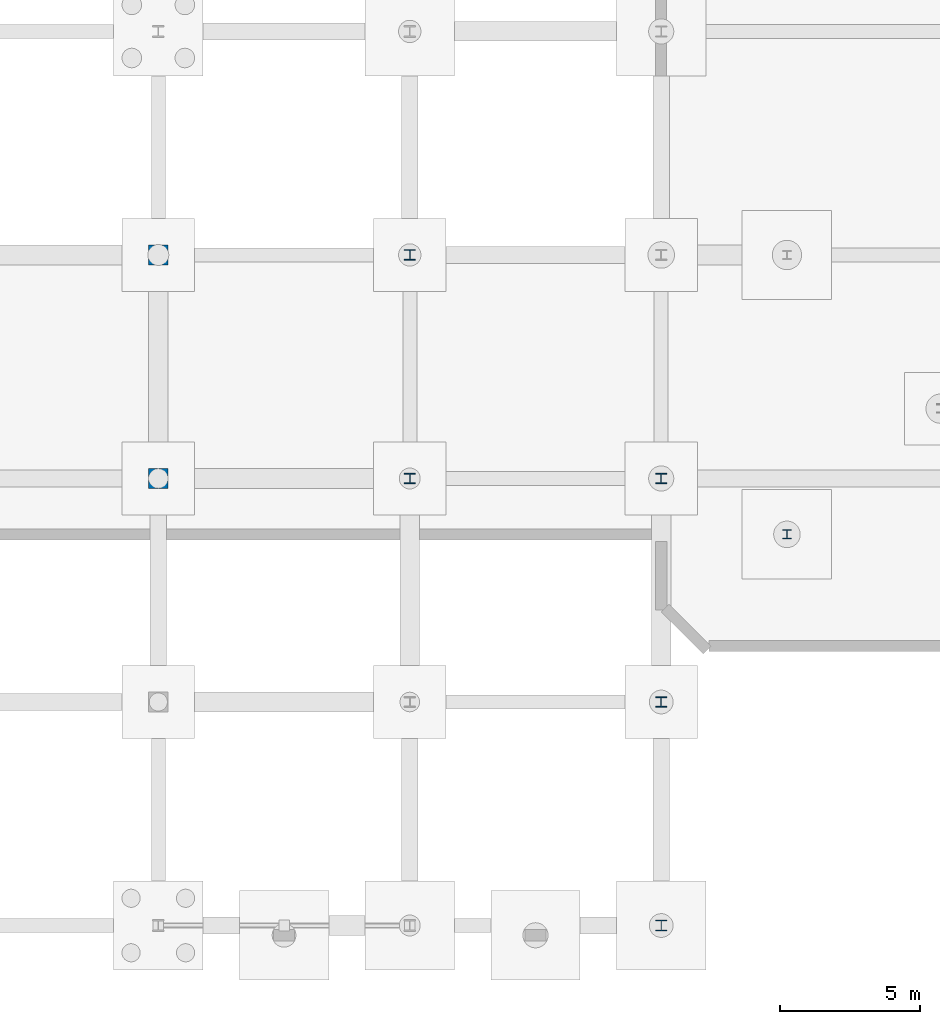
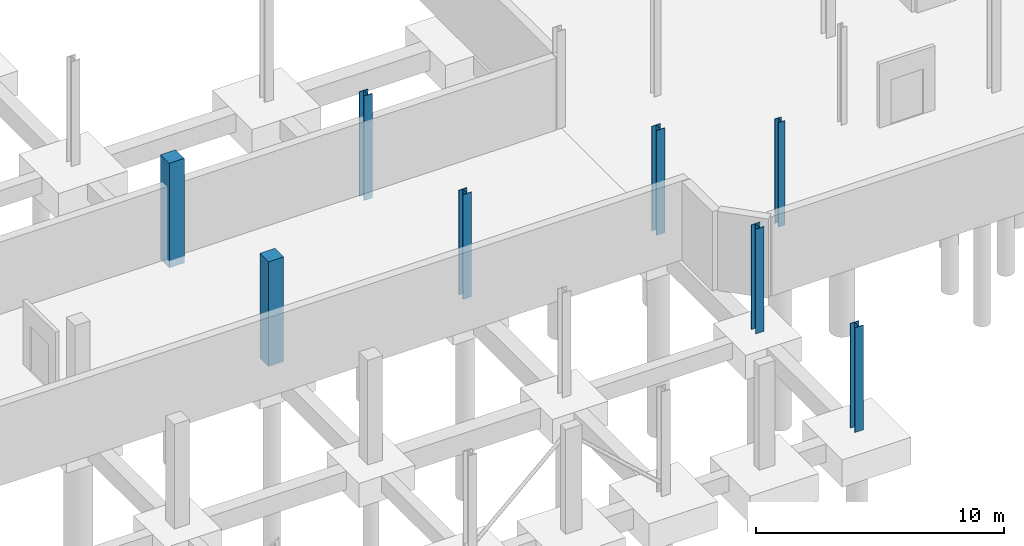
# One storey, part 11 of 37: 8 columns.
"""IFC4 building model written with IfcOpenShell, lengths in metres."""

from ifc_helpers import new_model, si_unit, direction, frame, origin, origin_2d, place, context, subcontext, project, spatial, rectangle, i_section, extrude, material, material_profile, profile_set, type_object, element, save


model = new_model("IFC4")

# Units and contexts
model_context = context("Model", 3, precision=1e-05, world=origin(), true_north=direction((0.0, 1.0)))
body_context = subcontext(model_context, "Body", "Model", "MODEL_VIEW")
ifc_project = project(units=[si_unit("LENGTHUNIT", "METRE"), si_unit("AREAUNIT", "SQUARE_METRE"), si_unit("VOLUMEUNIT", "CUBIC_METRE"), si_unit("PLANEANGLEUNIT", "RADIAN"), si_unit("MASSUNIT", "GRAM", prefix="KILO"), si_unit("THERMODYNAMICTEMPERATUREUNIT", "KELVIN"), si_unit("POWERUNIT", "WATT")], contexts=[model_context])

# Site, building, storey
site_placement = place(None, origin())
site = spatial("IfcSite", under=ifc_project, at=site_placement, CompositionType="ELEMENT")
building_placement = place(site_placement, origin())
building = spatial("IfcBuilding", under=site, at=building_placement, Name="Zelmaris Science Centre", CompositionType="ELEMENT")
storey_placement = place(building_placement, frame((0.0, 0.0, -4.800048828125)))
storey = spatial("IfcBuildingStorey", under=building, at=storey_placement, Name="B1", CompositionType="ELEMENT", Elevation=-4.800048828125)

# Columns
ifc_material_1 = material(Name="Steel ASTM A992 Grade 50", Category="steel")
ifc_material_profile_1 = material_profile(ifc_material_1, i_section(OverallWidth=0.39892578125, OverallDepth=0.385986328125, WebThickness=0.02099609375, FlangeThickness=0.033203125, FilletRadius=0.014892578125, at=origin_2d()), Name="W14X176")
ifc_profile_set_1 = profile_set([ifc_material_profile_1], Name="Steel ASTM A992 Grade 50")
column_type_1 = type_object("IfcColumnType", Name="Column C-04 W14X176", PredefinedType="COLUMN", material=ifc_profile_set_1)
column_1_placement = place(storey_placement, frame((54.0, 8.0, -0.349853515625), z_axis=(0.0, 0.0, 1.0), x_axis=(1.0, 0.0, 0.0)))
element("IfcColumn", 1, at=column_1_placement, inside=storey, type_object=column_type_1, Name="Column V3-P-54-8 B1", PredefinedType="COLUMN", context=body_context, shape_type="SweptSolid", body=[
    extrude(i_section(OverallWidth=0.39892578125, OverallDepth=0.385986328125, WebThickness=0.02099609375, FlangeThickness=0.033203125, FilletRadius=0.014892578125, at=origin_2d()), origin(), (0.0, 0.0, 1.0), 5.14990234375),
])
ifc_material_profile_2 = material_profile(ifc_material_1, i_section(OverallWidth=0.39404296875, OverallDepth=0.3759765625, WebThickness=0.017333984375, FlangeThickness=0.027587890625, FilletRadius=0.014892578125, at=origin_2d()), Name="W14X145")
ifc_profile_set_2 = profile_set([ifc_material_profile_2], Name="Steel ASTM A992 Grade 50")
column_type_2 = type_object("IfcColumnType", Name="Column C-05 W14X145", PredefinedType="COLUMN", material=ifc_profile_set_2)
for number, where, z_axis, x_axis, name in (
    (2, (45.0, 24.0, -0.349853515625), (0.0, 0.0, 1.0), (1.0, 0.0, 0.0), "Column V3-F-45-24 B1"),
    (3, (45.0, 32.0, -0.349853515625), (0.0, 0.0, 1.0), (1.0, 0.0, 0.0), "Column V3-F-45-32 B1"),
    (4, (54.0, 16.0, -0.349853515625), (0.0, 0.0, 1.0), (1.0, 0.0, 0.0), "Column V3-F-54-16 B1"),
    (5, (54.0, 24.0, -0.349853515625), (0.0, 0.0, 1.0), (1.0, 0.0, 0.0), "Column V3-F-54-24 B1"),
):
    element("IfcColumn", number, at=place(storey_placement, frame(where, z_axis=z_axis, x_axis=x_axis)), inside=storey, type_object=column_type_2, Name=name, PredefinedType="COLUMN", context=body_context, shape_type="SweptSolid", body=[
        extrude(i_section(OverallWidth=0.39404296875, OverallDepth=0.3759765625, WebThickness=0.017333984375, FlangeThickness=0.027587890625, FilletRadius=0.014892578125, at=origin_2d()), origin(), (0.0, 0.0, 1.0), 5.14990234375),
    ])
ifc_material_profile_3 = material_profile(ifc_material_1, i_section(OverallWidth=0.306884765625, OverallDepth=0.31494140625, WebThickness=0.011962890625, FlangeThickness=0.018798828125, FilletRadius=0.012939453125, at=origin_2d()), Name="W12X79")
ifc_profile_set_3 = profile_set([ifc_material_profile_3], Name="Steel ASTM A992 Grade 50")
column_type_3 = type_object("IfcColumnType", Name="Column C-08 W12X79", PredefinedType="COLUMN", material=ifc_profile_set_3)
column_2_placement = place(storey_placement, frame((58.5, 22.0, -0.349853515625), z_axis=(0.0, 0.0, 1.0), x_axis=(1.0, 0.0, 0.0)))
element("IfcColumn", 6, at=column_2_placement, inside=storey, type_object=column_type_3, Name="Column LK-W-22 B1", PredefinedType="COLUMN", context=body_context, shape_type="SweptSolid", body=[
    extrude(i_section(OverallWidth=0.306884765625, OverallDepth=0.31494140625, WebThickness=0.011962890625, FlangeThickness=0.018798828125, FilletRadius=0.012939453125, at=origin_2d()), origin(), (0.0, 0.0, 1.0), 5.14990234375),
])
ifc_material_2 = material(Name="Concrete C40/50", Category="concrete")
ifc_material_profile_4 = material_profile(ifc_material_2, rectangle(XDim=0.699951171875, YDim=0.699951171875, at=origin_2d()), Name="RC-COL-700X700")
ifc_profile_set_4 = profile_set([ifc_material_profile_4], Name="Concrete C40/50")
column_type_4 = type_object("IfcColumnType", Name="Column C-15 RC-COL-700X700", PredefinedType="COLUMN", material=ifc_profile_set_4)
for number, where, z_axis, x_axis, name in (
    (7, (36.0, 24.0, -0.349853515625), (0.0, 0.0, 1.0), (1.0, 0.0, 0.0), "Column V3-B1-36-24 B1"),
    (8, (36.0, 32.0, -0.349853515625), (0.0, 0.0, 1.0), (1.0, 0.0, 0.0), "Column V3-B1-36-32 B1"),
):
    element("IfcColumn", number, at=place(storey_placement, frame(where, z_axis=z_axis, x_axis=x_axis)), inside=storey, type_object=column_type_4, Name=name, PredefinedType="COLUMN", context=body_context, shape_type="SweptSolid", body=[
        extrude(rectangle(XDim=0.699951171875, YDim=0.699951171875, at=origin_2d()), origin(), (0.0, 0.0, 1.0), 5.14990234375),
    ])

save(model, "model.ifc")
